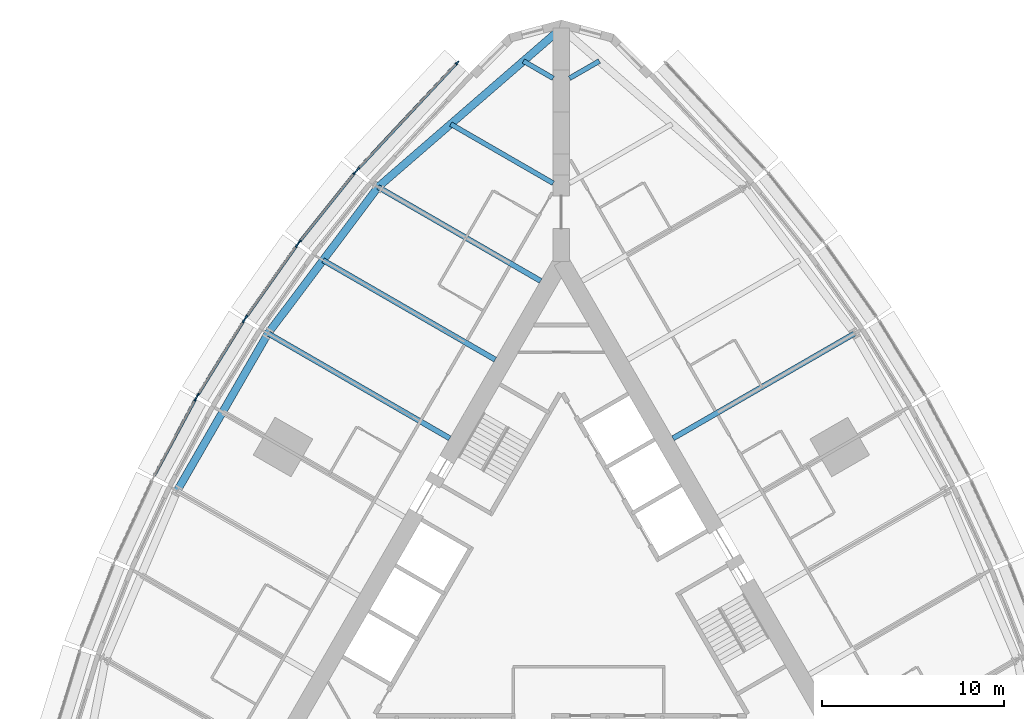
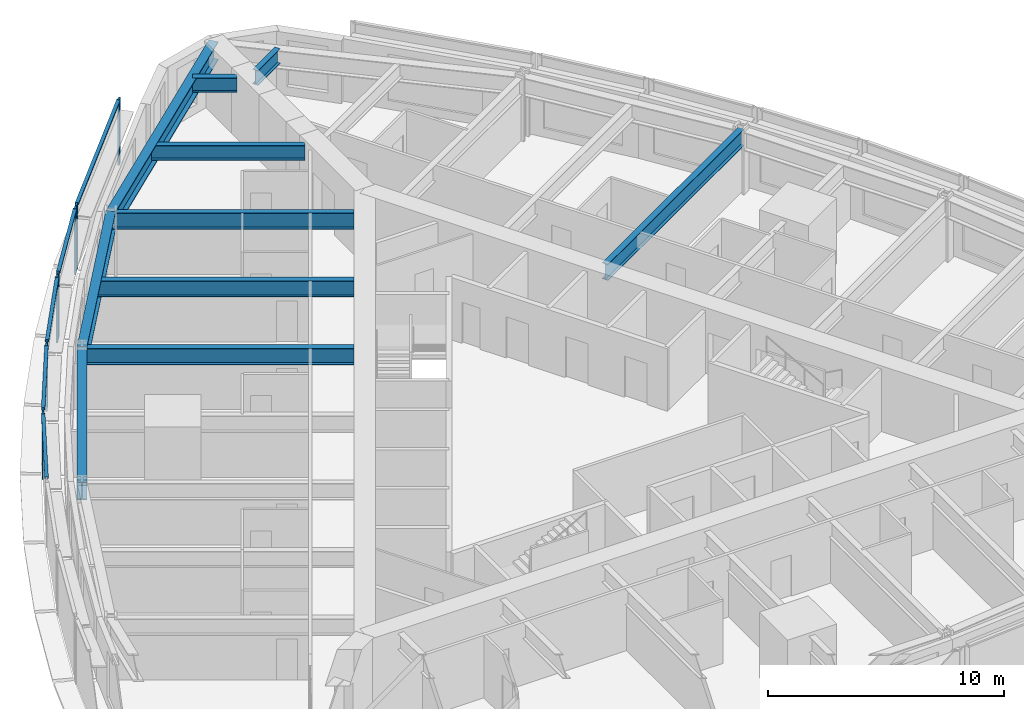
# One storey, part 4 of 14: 14 members, 10 beams, 5 elements without a shape of their own.
"""IFC4 building model written with IfcOpenShell, lengths in metres."""

from ifc_helpers import new_model, si_unit, direction, frame, origin, origin_2d, place, context, subcontext, project, spatial, rectangle, i_section, extrude, material, material_profile, profile_set, type_object, element, aggregate, save


model = new_model("IFC4")

# Units and contexts
model_context = context("Model", 3, precision=1e-05, world=origin(), true_north=direction((0.0, 1.0)))
body_context = subcontext(model_context, "Body", "Model", "MODEL_VIEW")
ifc_project = project(units=[si_unit("LENGTHUNIT", "METRE"), si_unit("AREAUNIT", "SQUARE_METRE"), si_unit("VOLUMEUNIT", "CUBIC_METRE"), si_unit("PLANEANGLEUNIT", "RADIAN"), si_unit("MASSUNIT", "GRAM", prefix="KILO")], contexts=[model_context])

# Site, building, storey
site_placement = place(None, origin())
site = spatial("IfcSite", under=ifc_project, at=site_placement, CompositionType="ELEMENT")
building_placement = place(site_placement, origin())
building = spatial("IfcBuilding", under=site, at=building_placement, Name="Trikona Tower", CompositionType="ELEMENT")
storey_placement = place(building_placement, frame((0.0, 0.0, 86.300048828125)))
storey = spatial("IfcBuildingStorey", under=building, at=storey_placement, Name="L22", CompositionType="ELEMENT", Elevation=86.300048828125)

# Curtain wall, members
ifc_material_1 = material(Name="Aluminium curtain wall system", Category="aluminium")
curtain_wall_type = type_object("IfcCurtainWallType", Name="Curtain wall DS1", PredefinedType="NOTDEFINED", material=ifc_material_1)
curtain_wall_1_placement = place(storey_placement, origin())
curtain_wall_1 = element("IfcCurtainWall", 1, at=curtain_wall_1_placement, inside=storey, type_object=curtain_wall_type, Name="Curtain wall DS1 L22", PredefinedType="NOTDEFINED")
ifc_material_2 = material(Name="Aluminium mullion, pale anodised", Category="aluminium")
ifc_material_profile_1 = material_profile(ifc_material_2, rectangle(XDim=0.080078125, YDim=0.219970703125, at=origin_2d()), Name="MUL-DS1")
ifc_profile_set_1 = profile_set([ifc_material_profile_1], Name="Aluminium mullion, pale anodised")
member_type_1 = type_object("IfcMemberType", Name="Mullion DS1 80x220", PredefinedType="MULLION", material=ifc_profile_set_1)
member_1_placement = place(storey_placement, frame((-5.72607421875, 29.98583984375, 0.0), z_axis=(0.0, 0.0, 1.0), x_axis=(0.731076639405, -0.682295351967, 0.0)))
member_1 = element("IfcMember", 2, at=member_1_placement, type_object=member_type_1, Name="CW-DS1 mullion 1", PredefinedType="MULLION", context=body_context, shape_type="SweptSolid", body=[
    extrude(rectangle(XDim=0.080078125, YDim=0.219970703125, at=origin_2d()), origin(), (0.0, 0.0, 1.0), 3.39990234375),
])
member_2_placement = place(storey_placement, frame((-11.192138671875, 24.129150390625, 0.0), z_axis=(0.0, 0.0, 1.0), x_axis=(0.731076639405, -0.682295351967, 0.0)))
member_2 = element("IfcMember", 3, at=member_2_placement, type_object=member_type_1, Name="CW-DS1 mullion 2", PredefinedType="MULLION", context=body_context, shape_type="SweptSolid", body=[
    extrude(rectangle(XDim=0.080078125, YDim=0.219970703125, at=origin_2d()), origin(), (0.0, 0.0, 1.0), 3.39990234375),
])

curtain_wall_2_placement = place(storey_placement, origin())
curtain_wall_2 = element("IfcCurtainWall", 4, at=curtain_wall_2_placement, inside=storey, type_object=curtain_wall_type, Name="Curtain wall DS1 L22", PredefinedType="NOTDEFINED")
member_3_placement = place(storey_placement, frame((-11.36767578125, 23.926025390625, 0.0), z_axis=(0.0, 0.0, 1.0), x_axis=(0.780937959679, -0.624608599951, 0.0)))
member_3 = element("IfcMember", 5, at=member_3_placement, type_object=member_type_1, Name="CW-DS1 mullion 1", PredefinedType="MULLION", context=body_context, shape_type="SweptSolid", body=[
    extrude(rectangle(XDim=0.080078125, YDim=0.219970703125, at=origin_2d()), origin(), (0.0, 0.0, 1.0), 3.39990234375),
])
member_4_placement = place(storey_placement, frame((-14.40185546875, 20.13232421875, 0.0), z_axis=(0.0, 0.0, 1.0), x_axis=(0.780937959679, -0.624608599951, 0.0)))
member_4 = element("IfcMember", 6, at=member_4_placement, type_object=member_type_1, Name="CW-DS1 mullion 2", PredefinedType="MULLION", context=body_context, shape_type="SweptSolid", body=[
    extrude(rectangle(XDim=0.080078125, YDim=0.219970703125, at=origin_2d()), origin(), (0.0, 0.0, 1.0), 3.39990234375),
])

curtain_wall_3_placement = place(storey_placement, origin())
curtain_wall_3 = element("IfcCurtainWall", 7, at=curtain_wall_3_placement, inside=storey, type_object=curtain_wall_type, Name="Curtain wall DS1 L22", PredefinedType="NOTDEFINED")
member_5_placement = place(storey_placement, frame((-14.554443359375, 19.929443359375, 0.0), z_axis=(0.0, 0.0, 1.0), x_axis=(0.816985393055, -0.576658362928, 0.0)))
member_5 = element("IfcMember", 8, at=member_5_placement, type_object=member_type_1, Name="CW-DS1 mullion 1", PredefinedType="MULLION", context=body_context, shape_type="SweptSolid", body=[
    extrude(rectangle(XDim=0.080078125, YDim=0.219970703125, at=origin_2d()), origin(), (0.0, 0.0, 1.0), 3.39990234375),
])
member_6_placement = place(storey_placement, frame((-17.33447265625, 15.990966796875, 0.0), z_axis=(0.0, 0.0, 1.0), x_axis=(0.816985393055, -0.576658362928, 0.0)))
member_6 = element("IfcMember", 9, at=member_6_placement, type_object=member_type_1, Name="CW-DS1 mullion 2", PredefinedType="MULLION", context=body_context, shape_type="SweptSolid", body=[
    extrude(rectangle(XDim=0.080078125, YDim=0.219970703125, at=origin_2d()), origin(), (0.0, 0.0, 1.0), 3.39990234375),
])

curtain_wall_4_placement = place(storey_placement, origin())
curtain_wall_4 = element("IfcCurtainWall", 10, at=curtain_wall_4_placement, inside=storey, type_object=curtain_wall_type, Name="Curtain wall DS1 L22", PredefinedType="NOTDEFINED")
member_7_placement = place(storey_placement, frame((-17.474853515625, 15.77880859375, 0.0), z_axis=(0.0, 0.0, 1.0), x_axis=(0.850410468941, -0.526119790842, 0.0)))
member_7 = element("IfcMember", 11, at=member_7_placement, type_object=member_type_1, Name="CW-DS1 mullion 1", PredefinedType="MULLION", context=body_context, shape_type="SweptSolid", body=[
    extrude(rectangle(XDim=0.080078125, YDim=0.219970703125, at=origin_2d()), origin(), (0.0, 0.0, 1.0), 3.39990234375),
])
member_8_placement = place(storey_placement, frame((-20.00146484375, 11.69482421875, 0.0), z_axis=(0.0, 0.0, 1.0), x_axis=(0.850410468941, -0.526119790842, 0.0)))
member_8 = element("IfcMember", 12, at=member_8_placement, type_object=member_type_1, Name="CW-DS1 mullion 2", PredefinedType="MULLION", context=body_context, shape_type="SweptSolid", body=[
    extrude(rectangle(XDim=0.080078125, YDim=0.219970703125, at=origin_2d()), origin(), (0.0, 0.0, 1.0), 3.39990234375),
])

# Curtain wall, member
curtain_wall_5_placement = place(storey_placement, origin())
curtain_wall_5 = element("IfcCurtainWall", 13, at=curtain_wall_5_placement, inside=storey, type_object=curtain_wall_type, Name="Curtain wall DS1 L22", PredefinedType="NOTDEFINED")
member_9_placement = place(storey_placement, frame((-20.128662109375, 11.474365234375, 0.0), z_axis=(0.0, 0.0, 1.0), x_axis=(0.880843080975, -0.473408350896, 0.0)))
member_9 = element("IfcMember", 14, at=member_9_placement, type_object=member_type_1, Name="CW-DS1 mullion 1", PredefinedType="MULLION", context=body_context, shape_type="SweptSolid", body=[
    extrude(rectangle(XDim=0.080078125, YDim=0.219970703125, at=origin_2d()), origin(), (0.0, 0.0, 1.0), 3.39990234375),
])

# Beams
ifc_material_3 = material(Name="Steel ASTM A992 Grade 50", Category="steel")
ifc_material_profile_2 = material_profile(ifc_material_3, i_section(OverallWidth=0.2666015625, OverallDepth=0.76953125, WebThickness=0.015625, FlangeThickness=0.025390625, at=origin_2d()), Name="W30X132")
ifc_profile_set_2 = profile_set([ifc_material_profile_2], Name="Steel ASTM A992 Grade 50")
beam_type_1 = type_object("IfcBeamType", Name="Steel beam W30x132 (wedge)", PredefinedType="BEAM", material=ifc_profile_set_2)
for number, where, z_axis, x_axis, name in (
    (15, (0.449951171875, 29.127197265625, 2.85009765625), (0.866009237431, 0.5000279999, 0.0), (-0.5000279999, 0.866009237431, 0.0), "Floor beam L23 F2 u25"),
    (16, (-0.449951171875, 29.127197265625, 2.85009765625), (-0.866009237431, 0.5000279999, 0.0), (-0.5000279999, -0.866009237431, 0.0), "Floor beam L23 F3 u-25"),
):
    element("IfcBeam", number, at=place(storey_placement, frame(where, z_axis=z_axis, x_axis=x_axis)), inside=storey, type_object=beam_type_1, Name=name, PredefinedType="BEAM", context=body_context, shape_type="SweptSolid", body=[
        extrude(i_section(OverallWidth=0.2666015625, OverallDepth=0.76953125, WebThickness=0.015625, FlangeThickness=0.025390625, at=origin_2d()), origin(), (0.0, 0.0, 1.0), 1.890625),
    ])
beam_1_placement = place(storey_placement, frame((-0.449951171875, 23.353759765625, 2.85009765625), z_axis=(-0.866022504693, 0.50000502134, 0.0), x_axis=(-0.50000502134, -0.866022504693, 0.0)))
element("IfcBeam", 17, at=beam_1_placement, inside=storey, type_object=beam_type_1, Name="Floor beam L23 F3 u-20", PredefinedType="BEAM", context=body_context, shape_type="SweptSolid", body=[
    extrude(i_section(OverallWidth=0.2666015625, OverallDepth=0.76953125, WebThickness=0.015625, FlangeThickness=0.025390625, at=origin_2d()), origin(), (0.0, 0.0, 1.0), 6.5068359375),
])
ifc_material_4 = material(Name="Steel ASTM A992 Grade 50", Category="steel")
ifc_material_profile_3 = material_profile(ifc_material_4, i_section(OverallWidth=0.2919921875, OverallDepth=0.845703125, WebThickness=0.015380859375, FlangeThickness=0.0244140625, at=origin_2d()), Name="W33X141")
ifc_profile_set_3 = profile_set([ifc_material_profile_3], Name="Steel ASTM A992 Grade 50")
beam_type_2 = type_object("IfcBeamType", Name="Steel beam W33x141 (radial typ)", PredefinedType="BEAM", material=ifc_profile_set_3)
beam_2_placement = place(storey_placement, frame((6.1396484375, 9.318359375, 2.81201171875), z_axis=(0.866029923217, 0.499992172032, 0.0), x_axis=(-0.499992172032, 0.866029923217, 0.0)))
element("IfcBeam", 18, at=beam_2_placement, inside=storey, type_object=beam_type_2, Name="Floor beam L23 F2 u5", PredefinedType="BEAM", context=body_context, shape_type="SweptSolid", body=[
    extrude(i_section(OverallWidth=0.2919921875, OverallDepth=0.845703125, WebThickness=0.015380859375, FlangeThickness=0.0244140625, at=origin_2d()), origin(), (0.0, 0.0, 1.0), 11.544189453125),
])
beam_3_placement = place(storey_placement, frame((-1.1396484375, 17.978515625, 2.81201171875), z_axis=(-0.866030471684, 0.499991222037, 0.0), x_axis=(-0.499991222037, -0.866030471684, 0.0)))
element("IfcBeam", 19, at=beam_3_placement, inside=storey, type_object=beam_type_2, Name="Floor beam L23 F3 u-15", PredefinedType="BEAM", context=body_context, shape_type="SweptSolid", body=[
    extrude(i_section(OverallWidth=0.2919921875, OverallDepth=0.845703125, WebThickness=0.015380859375, FlangeThickness=0.0244140625, at=origin_2d()), origin(), (0.0, 0.0, 1.0), 10.326904296875),
])
beam_4_placement = place(storey_placement, frame((-3.6396484375, 13.6484375, 2.81201171875), z_axis=(-0.866025348605, 0.500000095573, 0.0), x_axis=(-0.500000095573, -0.866025348605, 0.0)))
element("IfcBeam", 20, at=beam_4_placement, inside=storey, type_object=beam_type_2, Name="Floor beam L23 F3 u-10", PredefinedType="BEAM", context=body_context, shape_type="SweptSolid", body=[
    extrude(i_section(OverallWidth=0.2919921875, OverallDepth=0.845703125, WebThickness=0.015380859375, FlangeThickness=0.0244140625, at=origin_2d()), origin(), (0.0, 0.0, 1.0), 10.935546875),
])
beam_5_placement = place(storey_placement, frame((-6.1396484375, 9.318359375, 2.81201171875), z_axis=(-0.866029923217, 0.499992172032, 0.0), x_axis=(-0.499992172032, -0.866029923217, 0.0)))
element("IfcBeam", 21, at=beam_5_placement, inside=storey, type_object=beam_type_2, Name="Floor beam L23 F3 u-5", PredefinedType="BEAM", context=body_context, shape_type="SweptSolid", body=[
    extrude(i_section(OverallWidth=0.2919921875, OverallDepth=0.845703125, WebThickness=0.015380859375, FlangeThickness=0.0244140625, at=origin_2d()), origin(), (0.0, 0.0, 1.0), 11.544189453125),
])
ifc_material_5 = material(Name="Steel ASTM A992 Grade 50", Category="steel")
ifc_material_profile_4 = material_profile(ifc_material_5, i_section(OverallWidth=0.424072265625, OverallDepth=0.947509765625, WebThickness=0.02392578125, FlangeThickness=0.042724609375, at=origin_2d()), Name="W36X302")
ifc_profile_set_4 = profile_set([ifc_material_profile_4], Name="Steel ASTM A992 Grade 50")
beam_type_3 = type_object("IfcBeamType", Name="Steel beam W36x302 (spandrel)", PredefinedType="SPANDREL", material=ifc_profile_set_4)
beam_6_placement = place(storey_placement, frame((0.0, 31.881591796875, 2.76123046875), z_axis=(-0.755646822726, -0.654979296851, 0.0), x_axis=(0.654979296851, -0.755646822726, 0.0)))
element("IfcBeam", 22, at=beam_6_placement, inside=storey, type_object=beam_type_3, Name="Spandrel beam L23 F3-1", PredefinedType="SPANDREL", context=body_context, shape_type="SweptSolid", body=[
    extrude(i_section(OverallWidth=0.424072265625, OverallDepth=0.947509765625, WebThickness=0.02392578125, FlangeThickness=0.042724609375, at=origin_2d()), origin(), (0.0, 0.0, 1.0), 13.343505859375),
])
beam_7_placement = place(storey_placement, frame((-10.0830078125, 23.141845703125, 2.76123046875), z_axis=(-0.600988344191, -0.799257787042, 0.0), x_axis=(0.799257787042, -0.600988344191, 0.0)))
element("IfcBeam", 23, at=beam_7_placement, inside=storey, type_object=beam_type_3, Name="Spandrel beam L23 F3-2", PredefinedType="SPANDREL", context=body_context, shape_type="SweptSolid", body=[
    extrude(i_section(OverallWidth=0.424072265625, OverallDepth=0.947509765625, WebThickness=0.02392578125, FlangeThickness=0.042724609375, at=origin_2d()), origin(), (0.0, 0.0, 1.0), 10.07373046875),
])
beam_8_placement = place(storey_placement, frame((-16.13720703125, 15.09033203125, 2.76123046875), z_axis=(-0.500004234368, -0.866022959057, 0.0), x_axis=(0.866022959057, -0.500004234368, 0.0)))
element("IfcBeam", 24, at=beam_8_placement, inside=storey, type_object=beam_type_3, Name="Spandrel beam L23 F3-3", PredefinedType="SPANDREL", context=body_context, shape_type="SweptSolid", body=[
    extrude(i_section(OverallWidth=0.424072265625, OverallDepth=0.947509765625, WebThickness=0.02392578125, FlangeThickness=0.042724609375, at=origin_2d()), origin(), (0.0, 0.0, 1.0), 10.0),
])

# Member
ifc_material_6 = material(Name="Aluminium transom, pale anodised", Category="aluminium")
ifc_material_profile_5 = material_profile(ifc_material_6, rectangle(XDim=0.159912109375, YDim=0.080078125, at=origin_2d()), Name="TRN-DS1")
ifc_profile_set_5 = profile_set([ifc_material_profile_5], Name="Aluminium transom, pale anodised")
member_type_2 = type_object("IfcMemberType", Name="Transom DS1 80x160", PredefinedType="USERDEFINED", material=ifc_profile_set_5)
member_10_placement = place(storey_placement, frame((-5.75341796875, 29.95654296875, 3.35986328125), z_axis=(-0.682290830921, -0.731080858758, 0.0), x_axis=(0.731080858758, -0.682290830921, 0.0)))
member_10 = element("IfcMember", 25, at=member_10_placement, type_object=member_type_2, Name="CW-DS1 transom 1.1", ObjectType="TRANSOM", PredefinedType="USERDEFINED", context=body_context, shape_type="SweptSolid", body=[
    extrude(rectangle(XDim=0.159912109375, YDim=0.080078125, at=origin_2d()), origin(), (0.0, 0.0, 1.0), 7.93115234375),
])

aggregate(curtain_wall_1, [member_1, member_2, member_10])

member_11_placement = place(storey_placement, frame((-11.392822265625, 23.894775390625, 3.35986328125), z_axis=(-0.624589103832, -0.780953552636, 0.0), x_axis=(0.780953552636, -0.624589103832, 0.0)))
member_11 = element("IfcMember", 26, at=member_11_placement, type_object=member_type_2, Name="CW-DS1 transom 1.1", ObjectType="TRANSOM", PredefinedType="USERDEFINED", context=body_context, shape_type="SweptSolid", body=[
    extrude(rectangle(XDim=0.159912109375, YDim=0.080078125, at=origin_2d()), origin(), (0.0, 0.0, 1.0), 4.77783203125),
])

aggregate(curtain_wall_2, [member_3, member_4, member_11])

member_12_placement = place(storey_placement, frame((-14.57763671875, 19.896728515625, 3.35986328125), z_axis=(-0.57664478015, -0.816994980111, 0.0), x_axis=(0.816994980111, -0.57664478015, 0.0)))
member_12 = element("IfcMember", 27, at=member_12_placement, type_object=member_type_2, Name="CW-DS1 transom 1.1", ObjectType="TRANSOM", PredefinedType="USERDEFINED", context=body_context, shape_type="SweptSolid", body=[
    extrude(rectangle(XDim=0.159912109375, YDim=0.080078125, at=origin_2d()), origin(), (0.0, 0.0, 1.0), 4.740478515625),
])

aggregate(curtain_wall_3, [member_5, member_6, member_12])

member_13_placement = place(storey_placement, frame((-17.495849609375, 15.744873046875, 3.35986328125), z_axis=(-0.526080502257, -0.850434774186, 0.0), x_axis=(0.850434774186, -0.526080502257, 0.0)))
member_13 = element("IfcMember", 28, at=member_13_placement, type_object=member_type_2, Name="CW-DS1 transom 1.1", ObjectType="TRANSOM", PredefinedType="USERDEFINED", context=body_context, shape_type="SweptSolid", body=[
    extrude(rectangle(XDim=0.159912109375, YDim=0.080078125, at=origin_2d()), origin(), (0.0, 0.0, 1.0), 4.722412109375),
])

aggregate(curtain_wall_4, [member_7, member_8, member_13])

member_14_placement = place(storey_placement, frame((-20.147705078125, 11.43896484375, 3.35986328125), z_axis=(-0.473427569755, -0.880832751546, 0.0), x_axis=(0.880832751546, -0.473427569755, 0.0)))
member_14 = element("IfcMember", 29, at=member_14_placement, type_object=member_type_2, Name="CW-DS1 transom 1.1", ObjectType="TRANSOM", PredefinedType="USERDEFINED", context=body_context, shape_type="SweptSolid", body=[
    extrude(rectangle(XDim=0.159912109375, YDim=0.080078125, at=origin_2d()), origin(), (0.0, 0.0, 1.0), 4.72216796875),
])

aggregate(curtain_wall_5, [member_9, member_14])

save(model, "model.ifc")
